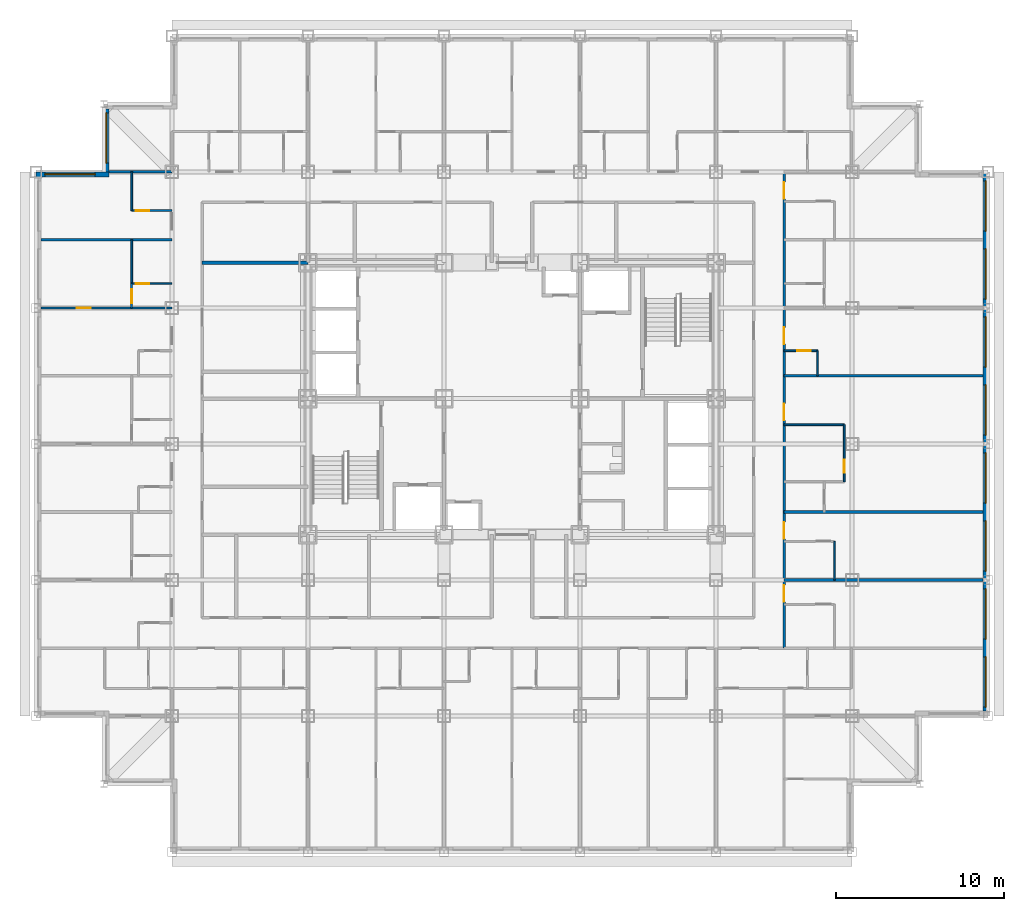
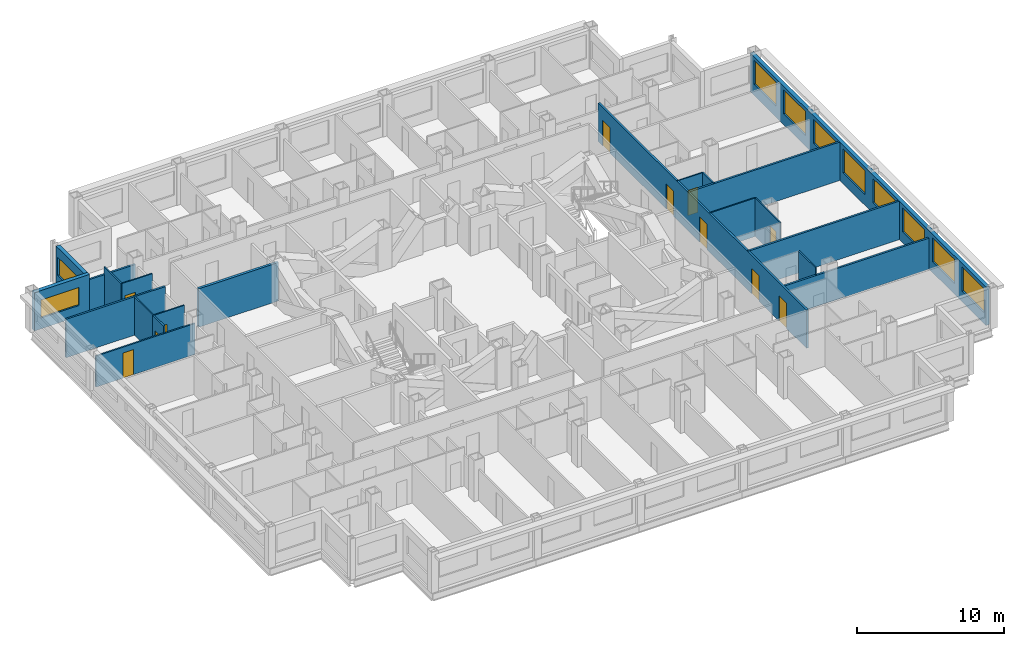
# One storey, part 9 of 15: 21 walls, 11 doors, 10 windows, 21 openings.
"""IFC4 building model written with IfcOpenShell, lengths in metres."""

from ifc_helpers import new_model, si_unit, direction, frame, frame_2d, origin, place, context, subcontext, project, spatial, rectangle, extrude, material, layer, layer_set, type_object, element, fill, save


model = new_model("IFC4")

# Units and contexts
model_context = context("Model", 3, precision=1e-05, world=origin(), true_north=direction((0.0, 1.0)))
body_context = subcontext(model_context, "Body", "Model", "MODEL_VIEW")
ifc_project = project(units=[si_unit("LENGTHUNIT", "METRE"), si_unit("AREAUNIT", "SQUARE_METRE"), si_unit("VOLUMEUNIT", "CUBIC_METRE"), si_unit("PLANEANGLEUNIT", "RADIAN"), si_unit("MASSUNIT", "GRAM", prefix="KILO")], contexts=[model_context])

# Site, building, storey
site_placement = place(None, origin())
site = spatial("IfcSite", under=ifc_project, at=site_placement, CompositionType="ELEMENT")
building_placement = place(site_placement, origin())
building = spatial("IfcBuilding", under=site, at=building_placement, Name="Kopane Lantern Tower", CompositionType="ELEMENT")
storey_placement = place(building_placement, frame((0.0, 0.0, 140.800048828125)))
storey = spatial("IfcBuildingStorey", under=building, at=storey_placement, Name="L36", CompositionType="ELEMENT", Elevation=140.800048828125)

# Wall, opening, door
ifc_material_1 = material(Name="Gypsum board on steel studs", Category="steel")
ifc_layer_1 = layer(ifc_material_1, 0.1201171875)
ifc_layer_set_1 = layer_set([ifc_layer_1], Name="APARTMENT INTERNAL WALL 120")
wall_type_1 = type_object("IfcWallType", Name="APARTMENT INTERNAL WALL 120", PredefinedType="PARTITIONING", material=ifc_layer_set_1)
wall_1_placement = place(storey_placement, frame((8.10009765625, 37.800048828125, 0.0), z_axis=(0.0, 0.0, 1.0), x_axis=(-1.0, 0.0, 0.0)))
wall_1 = element("IfcWall", 1, at=wall_1_placement, inside=storey, type_object=wall_type_1, Name="Apartment Internal Wall 120 L36", PredefinedType="PARTITIONING", context=body_context, shape_type="SweptSolid", body=[
    extrude(rectangle(XDim=7.800048828125, YDim=0.1201171875, at=frame_2d((3.89990234375, 0.0))), origin(), (0.0, 0.0, 1.0), 2.57763671875),
])
opening_1_placement = place(wall_1_placement, frame((4.824951171875, 0.0, 0.0)))
opening_1 = element("IfcOpeningElement", 2, at=opening_1_placement, cuts=wall_1, Name="Opening L36-054", PredefinedType="OPENING", context=body_context, shape_type="SweptSolid", body=[
    extrude(rectangle(XDim=0.85009765625, YDim=2.10009765625, at=frame_2d((0.425048828125, 1.050048828125))), frame((0.0, 0.070068359375, 0.0), z_axis=(0.0, -1.0, 0.0), x_axis=(1.0, 0.0, 0.0)), (0.0, 0.0, 1.0), 0.14013671875),
])
ifc_material_2 = material(Name="Timber door set", Category="wood")
door_type_1 = type_object("IfcDoorType", Name="DOOR D4 850x2100", OperationType="SINGLE_SWING_LEFT", PredefinedType="DOOR", material=ifc_material_2)
door_1_placement = place(opening_1_placement, origin())
door_1 = element("IfcDoor", 3, at=door_1_placement, inside=storey, type_object=door_type_1, Name="Door L36-054", OperationType="SINGLE_SWING_RIGHT", OverallHeight=2.10009765625, OverallWidth=0.85009765625, PredefinedType="DOOR", context=body_context, shape_type="SweptSolid", body=[
    extrude(rectangle(XDim=0.85009765625, YDim=2.10009765625, at=frame_2d((0.425048828125, 1.050048828125))), frame((0.0, 0.02490234375, 0.0), z_axis=(0.0, -1.0, 0.0), x_axis=(1.0, 0.0, 0.0)), (0.0, 0.0, 1.0), 0.050048828125),
])
fill(opening_1, door_1)

wall_2_placement = place(storey_placement, frame((5.699951171875, 37.800048828125, 0.0), z_axis=(0.0, 0.0, 1.0), x_axis=(0.0, 1.0, 0.0)))
wall_2 = element("IfcWall", 4, at=wall_2_placement, inside=storey, type_object=wall_type_1, Name="Apartment Internal Wall 120 L36", PredefinedType="PARTITIONING", context=body_context, shape_type="SweptSolid", body=[
    extrude(rectangle(XDim=1.4599609375, YDim=0.1201171875, at=frame_2d((0.72998046875, 0.0))), origin(), (0.0, 0.0, 1.0), 3.18994140625),
])
opening_2_placement = place(wall_2_placement, frame((0.27490234375, 0.0, 0.0)))
opening_2 = element("IfcOpeningElement", 5, at=opening_2_placement, cuts=wall_2, Name="Opening L36-096", PredefinedType="OPENING", context=body_context, shape_type="SweptSolid", body=[
    extrude(rectangle(XDim=0.85009765625, YDim=2.10009765625, at=frame_2d((0.425048828125, 1.050048828125))), frame((0.0, 0.070068359375, 0.0), z_axis=(0.0, -1.0, 0.0), x_axis=(1.0, 0.0, 0.0)), (0.0, 0.0, 1.0), 0.14013671875),
])
door_2_placement = place(opening_2_placement, origin())
door_2 = element("IfcDoor", 6, at=door_2_placement, inside=storey, type_object=door_type_1, Name="Door L36-096", OperationType="SINGLE_SWING_LEFT", OverallHeight=2.10009765625, OverallWidth=0.85009765625, PredefinedType="DOOR", context=body_context, shape_type="SweptSolid", body=[
    extrude(rectangle(XDim=0.85009765625, YDim=2.10009765625, at=frame_2d((0.425048828125, 1.050048828125))), frame((0.0, 0.02490234375, 0.0), z_axis=(0.0, -1.0, 0.0), x_axis=(1.0, 0.0, 0.0)), (0.0, 0.0, 1.0), 0.050048828125),
])
fill(opening_2, door_2)

# Wall
ifc_material_3 = material(Name="Moisture-resistant board on steel studs", Category="steel")
ifc_layer_2 = layer(ifc_material_3, 0.10009765625)
ifc_layer_set_2 = layer_set([ifc_layer_2], Name="BATHROOM WALL 100")
wall_type_2 = type_object("IfcWallType", Name="BATHROOM WALL 100", PredefinedType="PARTITIONING", material=ifc_layer_set_2)
wall_3_placement = place(storey_placement, frame((5.699951171875, 39.25, 0.0), z_axis=(0.0, 0.0, 1.0), x_axis=(0.0, 1.0, 0.0)))
element("IfcWall", 7, at=wall_3_placement, inside=storey, type_object=wall_type_2, Name="Bathroom Wall 100 L36", PredefinedType="PARTITIONING", context=body_context, shape_type="SweptSolid", body=[
    extrude(rectangle(XDim=2.60009765625, YDim=0.10009765625, at=frame_2d((1.300048828125, 0.0))), origin(), (0.0, 0.0, 1.0), 3.18994140625),
])

# Wall, opening, door
wall_4_placement = place(storey_placement, frame((8.10009765625, 39.25, 0.0), z_axis=(0.0, 0.0, 1.0), x_axis=(-1.0, 0.0, 0.0)))
wall_4 = element("IfcWall", 8, at=wall_4_placement, inside=storey, type_object=wall_type_2, Name="Bathroom Wall 100 L36", PredefinedType="PARTITIONING", context=body_context, shape_type="SweptSolid", body=[
    extrude(rectangle(XDim=2.400146484375, YDim=0.10009765625, at=frame_2d((1.2001953125, 0.0))), origin(), (0.0, 0.0, 1.0), 3.18994140625),
])
opening_3_placement = place(wall_4_placement, frame((1.35009765625, 0.0, 0.0)))
opening_3 = element("IfcOpeningElement", 9, at=opening_3_placement, cuts=wall_4, Name="Opening L36-053", PredefinedType="OPENING", context=body_context, shape_type="SweptSolid", body=[
    extrude(rectangle(XDim=0.800048828125, YDim=2.10009765625, at=frame_2d((0.39990234375, 1.050048828125))), frame((0.0, 0.06005859375, 0.0), z_axis=(0.0, -1.0, 0.0), x_axis=(1.0, 0.0, 0.0)), (0.0, 0.0, 1.0), 0.1201171875),
])
ifc_material_4 = material(Name="Timber door set", Category="wood")
door_type_2 = type_object("IfcDoorType", Name="DOOR D2 800x2100", OperationType="SINGLE_SWING_LEFT", PredefinedType="DOOR", material=ifc_material_4)
door_3_placement = place(opening_3_placement, origin())
door_3 = element("IfcDoor", 10, at=door_3_placement, inside=storey, type_object=door_type_2, Name="Door L36-053", OperationType="SINGLE_SWING_RIGHT", OverallHeight=2.10009765625, OverallWidth=0.800048828125, PredefinedType="DOOR", context=body_context, shape_type="SweptSolid", body=[
    extrude(rectangle(XDim=0.800048828125, YDim=2.10009765625, at=frame_2d((0.39990234375, 1.050048828125))), frame((0.0, 0.02490234375, 0.0), z_axis=(0.0, -1.0, 0.0), x_axis=(1.0, 0.0, 0.0)), (0.0, 0.0, 1.0), 0.050048828125),
])
fill(opening_3, door_3)

# Wall
wall_5_placement = place(storey_placement, frame((5.699951171875, 43.60009765625, 0.0), z_axis=(0.0, 0.0, 1.0), x_axis=(0.0, 1.0, 0.0)))
element("IfcWall", 11, at=wall_5_placement, inside=storey, type_object=wall_type_2, Name="Bathroom Wall 100 L36", PredefinedType="PARTITIONING", context=body_context, shape_type="SweptSolid", body=[
    extrude(rectangle(XDim=2.2998046875, YDim=0.10009765625, at=frame_2d((1.14990234375, 0.0))), origin(), (0.0, 0.0, 1.0), 3.18994140625),
])

# Wall, opening, door
wall_6_placement = place(storey_placement, frame((8.10009765625, 43.60009765625, 0.0), z_axis=(0.0, 0.0, 1.0), x_axis=(-1.0, 0.0, 0.0)))
wall_6 = element("IfcWall", 12, at=wall_6_placement, inside=storey, type_object=wall_type_2, Name="Bathroom Wall 100 L36", PredefinedType="PARTITIONING", context=body_context, shape_type="SweptSolid", body=[
    extrude(rectangle(XDim=2.400146484375, YDim=0.10009765625, at=frame_2d((1.2001953125, 0.0))), origin(), (0.0, 0.0, 1.0), 3.18994140625),
])
opening_4_placement = place(wall_6_placement, frame((1.35009765625, 0.0, 0.0)))
opening_4 = element("IfcOpeningElement", 13, at=opening_4_placement, cuts=wall_6, Name="Opening L36-055", PredefinedType="OPENING", context=body_context, shape_type="SweptSolid", body=[
    extrude(rectangle(XDim=0.800048828125, YDim=2.10009765625, at=frame_2d((0.39990234375, 1.050048828125))), frame((0.0, 0.06005859375, 0.0), z_axis=(0.0, -1.0, 0.0), x_axis=(1.0, 0.0, 0.0)), (0.0, 0.0, 1.0), 0.1201171875),
])
door_4_placement = place(opening_4_placement, origin())
door_4 = element("IfcDoor", 14, at=door_4_placement, inside=storey, type_object=door_type_2, Name="Door L36-055", OperationType="SINGLE_SWING_LEFT", OverallHeight=2.10009765625, OverallWidth=0.800048828125, PredefinedType="DOOR", context=body_context, shape_type="SweptSolid", body=[
    extrude(rectangle(XDim=0.800048828125, YDim=2.10009765625, at=frame_2d((0.39990234375, 1.050048828125))), frame((0.0, 0.02490234375, 0.0), z_axis=(0.0, -1.0, 0.0), x_axis=(1.0, 0.0, 0.0)), (0.0, 0.0, 1.0), 0.050048828125),
])
fill(opening_4, door_4)

# Wall
wall_7_placement = place(storey_placement, frame((47.550048828125, 21.60009765625, 0.0), z_axis=(0.0, 0.0, 1.0), x_axis=(0.0, 1.0, 0.0)))
element("IfcWall", 15, at=wall_7_placement, inside=storey, type_object=wall_type_2, Name="Bathroom Wall 100 L36", PredefinedType="PARTITIONING", context=body_context, shape_type="SweptSolid", body=[
    extrude(rectangle(XDim=2.2998046875, YDim=0.10009765625, at=frame_2d((1.14990234375, 0.0))), origin(), (0.0, 0.0, 1.0), 3.18994140625),
])

# Wall, opening, door
wall_8_placement = place(storey_placement, frame((48.139892578125, 27.449951171875, 0.0), z_axis=(0.0, 0.0, 1.0), x_axis=(0.0, 1.0, 0.0)))
wall_8 = element("IfcWall", 16, at=wall_8_placement, inside=storey, type_object=wall_type_2, Name="Bathroom Wall 100 L36", PredefinedType="PARTITIONING", context=body_context, shape_type="SweptSolid", body=[
    extrude(rectangle(XDim=3.400146484375, YDim=0.10009765625, at=frame_2d((1.7001953125, 0.0))), origin(), (0.0, 0.0, 1.0), 3.18994140625),
])
opening_5_placement = place(wall_8_placement, frame((0.52490234375, 0.0, 0.0)))
opening_5 = element("IfcOpeningElement", 17, at=opening_5_placement, cuts=wall_8, Name="Opening L36-061", PredefinedType="OPENING", context=body_context, shape_type="SweptSolid", body=[
    extrude(rectangle(XDim=0.800048828125, YDim=2.10009765625, at=frame_2d((0.39990234375, 1.050048828125))), frame((0.0, 0.06005859375, 0.0), z_axis=(0.0, -1.0, 0.0), x_axis=(1.0, 0.0, 0.0)), (0.0, 0.0, 1.0), 0.1201171875),
])
door_5_placement = place(opening_5_placement, origin())
door_5 = element("IfcDoor", 18, at=door_5_placement, inside=storey, type_object=door_type_2, Name="Door L36-061", OperationType="SINGLE_SWING_LEFT", OverallHeight=2.10009765625, OverallWidth=0.800048828125, PredefinedType="DOOR", context=body_context, shape_type="SweptSolid", body=[
    extrude(rectangle(XDim=0.800048828125, YDim=2.10009765625, at=frame_2d((0.39990234375, 1.050048828125))), frame((0.0, 0.02490234375, 0.0), z_axis=(0.0, -1.0, 0.0), x_axis=(1.0, 0.0, 0.0)), (0.0, 0.0, 1.0), 0.050048828125),
])
fill(opening_5, door_5)

# Walls
wall_9_placement = place(storey_placement, frame((44.550048828125, 30.85009765625, 0.0), z_axis=(0.0, 0.0, 1.0), x_axis=(1.0, 0.0, 0.0)))
element("IfcWall", 19, at=wall_9_placement, inside=storey, type_object=wall_type_2, Name="Bathroom Wall 100 L36", PredefinedType="PARTITIONING", context=body_context, shape_type="SweptSolid", body=[
    extrude(rectangle(XDim=3.58984375, YDim=0.10009765625, at=frame_2d((1.794921875, 0.0))), origin(), (0.0, 0.0, 1.0), 3.18994140625),
])
wall_10_placement = place(storey_placement, frame((46.550048828125, 33.75, 0.0), z_axis=(0.0, 0.0, 1.0), x_axis=(0.0, 1.0, 0.0)))
element("IfcWall", 20, at=wall_10_placement, inside=storey, type_object=wall_type_2, Name="Bathroom Wall 100 L36", PredefinedType="PARTITIONING", context=body_context, shape_type="SweptSolid", body=[
    extrude(rectangle(XDim=1.5, YDim=0.10009765625, at=frame_2d((0.75, 0.0))), origin(), (0.0, 0.0, 1.0), 3.18994140625),
])

# Wall, opening, door
wall_11_placement = place(storey_placement, frame((44.550048828125, 35.25, 0.0), z_axis=(0.0, 0.0, 1.0), x_axis=(1.0, 0.0, 0.0)))
wall_11 = element("IfcWall", 21, at=wall_11_placement, inside=storey, type_object=wall_type_2, Name="Bathroom Wall 100 L36", PredefinedType="PARTITIONING", context=body_context, shape_type="SweptSolid", body=[
    extrude(rectangle(XDim=2.0, YDim=0.10009765625, at=frame_2d((1.0, 0.0))), origin(), (0.0, 0.0, 1.0), 3.18994140625),
])
opening_6_placement = place(wall_11_placement, frame((0.800048828125, 0.0, 0.0)))
opening_6 = element("IfcOpeningElement", 22, at=opening_6_placement, cuts=wall_11, Name="Opening L36-064", PredefinedType="OPENING", context=body_context, shape_type="SweptSolid", body=[
    extrude(rectangle(XDim=0.800048828125, YDim=2.10009765625, at=frame_2d((0.39990234375, 1.050048828125))), frame((0.0, 0.06005859375, 0.0), z_axis=(0.0, -1.0, 0.0), x_axis=(1.0, 0.0, 0.0)), (0.0, 0.0, 1.0), 0.1201171875),
])
door_6_placement = place(opening_6_placement, origin())
door_6 = element("IfcDoor", 23, at=door_6_placement, inside=storey, type_object=door_type_2, Name="Door L36-064", OperationType="SINGLE_SWING_LEFT", OverallHeight=2.10009765625, OverallWidth=0.800048828125, PredefinedType="DOOR", context=body_context, shape_type="SweptSolid", body=[
    extrude(rectangle(XDim=0.800048828125, YDim=2.10009765625, at=frame_2d((0.39990234375, 1.050048828125))), frame((0.0, 0.02490234375, 0.0), z_axis=(0.0, -1.0, 0.0), x_axis=(1.0, 0.0, 0.0)), (0.0, 0.0, 1.0), 0.050048828125),
])
fill(opening_6, door_6)

# Wall, openings, doors
ifc_material_5 = material(Name="Gypsum board on steel studs", Category="steel")
ifc_layer_3 = layer(ifc_material_5, 0.14990234375)
ifc_layer_set_3 = layer_set([ifc_layer_3], Name="CORRIDOR WALL 150 EI 60")
wall_type_3 = type_object("IfcWallType", Name="CORRIDOR WALL 150 EI 60", PredefinedType="PARTITIONING", material=ifc_layer_set_3)
wall_12_placement = place(storey_placement, frame((44.550048828125, 17.550048828125, 0.0), z_axis=(0.0, 0.0, 1.0), x_axis=(0.0, 1.0, 0.0)))
wall_12 = element("IfcWall", 24, at=wall_12_placement, inside=storey, type_object=wall_type_3, Name="Corridor Wall 150 Ei 60 L36", PredefinedType="PARTITIONING", context=body_context, shape_type="SweptSolid", body=[
    extrude(rectangle(XDim=28.349853515625, YDim=0.14990234375, at=frame_2d((14.1748046875, 0.0))), origin(), (0.0, 0.0, 1.0), 3.18994140625),
])
opening_7_placement = place(wall_12_placement, frame((2.75, 0.0, 0.0)))
opening_7 = element("IfcOpeningElement", 25, at=opening_7_placement, cuts=wall_12, Name="Opening L36-058", PredefinedType="OPENING", context=body_context, shape_type="SweptSolid", body=[
    extrude(rectangle(XDim=1.0, YDim=2.10009765625, at=frame_2d((0.5, 1.050048828125))), frame((0.0, 0.0849609375, 0.0), z_axis=(0.0, -1.0, 0.0), x_axis=(1.0, 0.0, 0.0)), (0.0, 0.0, 1.0), 0.169921875),
])
opening_8_placement = place(wall_12_placement, frame((6.5, 0.0, 0.0)))
opening_8 = element("IfcOpeningElement", 26, at=opening_8_placement, cuts=wall_12, Name="Opening L36-060", PredefinedType="OPENING", context=body_context, shape_type="SweptSolid", body=[
    extrude(rectangle(XDim=1.0, YDim=2.10009765625, at=frame_2d((0.5, 1.050048828125))), frame((0.0, 0.0849609375, 0.0), z_axis=(0.0, -1.0, 0.0), x_axis=(1.0, 0.0, 0.0)), (0.0, 0.0, 1.0), 0.169921875),
])
opening_9_placement = place(wall_12_placement, frame((13.550048828125, 0.0, 0.0)))
opening_9 = element("IfcOpeningElement", 27, at=opening_9_placement, cuts=wall_12, Name="Opening L36-063", PredefinedType="OPENING", context=body_context, shape_type="SweptSolid", body=[
    extrude(rectangle(XDim=1.0, YDim=2.10009765625, at=frame_2d((0.5, 1.050048828125))), frame((0.0, 0.0849609375, 0.0), z_axis=(0.0, -1.0, 0.0), x_axis=(1.0, 0.0, 0.0)), (0.0, 0.0, 1.0), 0.169921875),
])
opening_10_placement = place(wall_12_placement, frame((18.10009765625, 0.0, 0.0)))
opening_10 = element("IfcOpeningElement", 28, at=opening_10_placement, cuts=wall_12, Name="Opening L36-065", PredefinedType="OPENING", context=body_context, shape_type="SweptSolid", body=[
    extrude(rectangle(XDim=1.0, YDim=2.10009765625, at=frame_2d((0.5, 1.050048828125))), frame((0.0, 0.0849609375, 0.0), z_axis=(0.0, -1.0, 0.0), x_axis=(1.0, 0.0, 0.0)), (0.0, 0.0, 1.0), 0.169921875),
])
opening_11_placement = place(wall_12_placement, frame((26.75, 0.0, 0.0)))
opening_11 = element("IfcOpeningElement", 29, at=opening_11_placement, cuts=wall_12, Name="Opening L36-069", PredefinedType="OPENING", context=body_context, shape_type="SweptSolid", body=[
    extrude(rectangle(XDim=1.0, YDim=2.10009765625, at=frame_2d((0.5, 1.050048828125))), frame((0.0, 0.0849609375, 0.0), z_axis=(0.0, -1.0, 0.0), x_axis=(1.0, 0.0, 0.0)), (0.0, 0.0, 1.0), 0.169921875),
])
ifc_material_6 = material(Name="Steel door set", Category="steel")
door_type_3 = type_object("IfcDoorType", Name="DOOR D1 1000x2100 FD30S", OperationType="SINGLE_SWING_LEFT", PredefinedType="DOOR", material=ifc_material_6)
door_7_placement = place(opening_7_placement, origin())
door_7 = element("IfcDoor", 30, at=door_7_placement, inside=storey, type_object=door_type_3, Name="Door L36-058", OperationType="SINGLE_SWING_RIGHT", OverallHeight=2.10009765625, OverallWidth=1.0, PredefinedType="DOOR", context=body_context, shape_type="SweptSolid", body=[
    extrude(rectangle(XDim=1.0, YDim=2.10009765625, at=frame_2d((0.5, 1.050048828125))), frame((0.0, 0.02490234375, 0.0), z_axis=(0.0, -1.0, 0.0), x_axis=(1.0, 0.0, 0.0)), (0.0, 0.0, 1.0), 0.050048828125),
])
fill(opening_7, door_7)
door_8_placement = place(opening_8_placement, origin())
door_8 = element("IfcDoor", 31, at=door_8_placement, inside=storey, type_object=door_type_3, Name="Door L36-060", OperationType="SINGLE_SWING_RIGHT", OverallHeight=2.10009765625, OverallWidth=1.0, PredefinedType="DOOR", context=body_context, shape_type="SweptSolid", body=[
    extrude(rectangle(XDim=1.0, YDim=2.10009765625, at=frame_2d((0.5, 1.050048828125))), frame((0.0, 0.02490234375, 0.0), z_axis=(0.0, -1.0, 0.0), x_axis=(1.0, 0.0, 0.0)), (0.0, 0.0, 1.0), 0.050048828125),
])
fill(opening_8, door_8)
door_9_placement = place(opening_9_placement, origin())
door_9 = element("IfcDoor", 32, at=door_9_placement, inside=storey, type_object=door_type_3, Name="Door L36-063", OperationType="SINGLE_SWING_RIGHT", OverallHeight=2.10009765625, OverallWidth=1.0, PredefinedType="DOOR", context=body_context, shape_type="SweptSolid", body=[
    extrude(rectangle(XDim=1.0, YDim=2.10009765625, at=frame_2d((0.5, 1.050048828125))), frame((0.0, 0.02490234375, 0.0), z_axis=(0.0, -1.0, 0.0), x_axis=(1.0, 0.0, 0.0)), (0.0, 0.0, 1.0), 0.050048828125),
])
fill(opening_9, door_9)
door_10_placement = place(opening_10_placement, origin())
door_10 = element("IfcDoor", 33, at=door_10_placement, inside=storey, type_object=door_type_3, Name="Door L36-065", OperationType="SINGLE_SWING_RIGHT", OverallHeight=2.10009765625, OverallWidth=1.0, PredefinedType="DOOR", context=body_context, shape_type="SweptSolid", body=[
    extrude(rectangle(XDim=1.0, YDim=2.10009765625, at=frame_2d((0.5, 1.050048828125))), frame((0.0, 0.02490234375, 0.0), z_axis=(0.0, -1.0, 0.0), x_axis=(1.0, 0.0, 0.0)), (0.0, 0.0, 1.0), 0.050048828125),
])
fill(opening_10, door_10)
door_11_placement = place(opening_11_placement, origin())
door_11 = element("IfcDoor", 34, at=door_11_placement, inside=storey, type_object=door_type_3, Name="Door L36-069", OperationType="SINGLE_SWING_RIGHT", OverallHeight=2.10009765625, OverallWidth=1.0, PredefinedType="DOOR", context=body_context, shape_type="SweptSolid", body=[
    extrude(rectangle(XDim=1.0, YDim=2.10009765625, at=frame_2d((0.5, 1.050048828125))), frame((0.0, 0.02490234375, 0.0), z_axis=(0.0, -1.0, 0.0), x_axis=(1.0, 0.0, 0.0)), (0.0, 0.0, 1.0), 0.050048828125),
])
fill(opening_11, door_11)

# Walls
ifc_material_7 = material(Name="Gypsum board on steel studs", Category="steel")
ifc_layer_4 = layer(ifc_material_7, 0.14990234375)
ifc_layer_set_4 = layer_set([ifc_layer_4], Name="DEMISING WALL 150 EI 60")
wall_type_4 = type_object("IfcWallType", Name="DEMISING WALL 150 EI 60", PredefinedType="PARTITIONING", material=ifc_layer_set_4)
wall_13_placement = place(storey_placement, frame((8.10009765625, 41.85009765625, 0.0), z_axis=(0.0, 0.0, 1.0), x_axis=(-1.0, 0.0, 0.0)))
element("IfcWall", 35, at=wall_13_placement, inside=storey, type_object=wall_type_4, Name="Demising Wall 150 Ei 60 L36", PredefinedType="PARTITIONING", context=body_context, shape_type="SweptSolid", body=[
    extrude(rectangle(XDim=7.800048828125, YDim=0.14990234375, at=frame_2d((3.89990234375, 0.0))), origin(), (0.0, 0.0, 1.0), 3.18994140625),
])
wall_14_placement = place(storey_placement, frame((44.550048828125, 21.60009765625, 0.0), z_axis=(0.0, 0.0, 1.0), x_axis=(1.0, 0.0, 0.0)))
element("IfcWall", 36, at=wall_14_placement, inside=storey, type_object=wall_type_4, Name="Demising Wall 150 Ei 60 L36", PredefinedType="PARTITIONING", context=body_context, shape_type="SweptSolid", body=[
    extrude(rectangle(XDim=11.849853515625, YDim=0.14990234375, at=frame_2d((5.9248046875, 0.0))), origin(), (0.0, 0.0, 1.0), 2.57763671875),
])
for number, where, z_axis, x_axis, name in (
    (37, (44.550048828125, 25.64990234375, 0.0), (0.0, 0.0, 1.0), (1.0, 0.0, 0.0), "Demising Wall 150 Ei 60 L36"),
    (38, (44.550048828125, 33.75, 0.0), (0.0, 0.0, 1.0), (1.0, 0.0, 0.0), "Demising Wall 150 Ei 60 L36"),
):
    element("IfcWall", number, at=place(storey_placement, frame(where, z_axis=z_axis, x_axis=x_axis)), inside=storey, type_object=wall_type_4, Name=name, PredefinedType="PARTITIONING", context=body_context, shape_type="SweptSolid", body=[
        extrude(rectangle(XDim=11.849853515625, YDim=0.14990234375, at=frame_2d((5.9248046875, 0.0))), origin(), (0.0, 0.0, 1.0), 3.18994140625),
    ])
wall_15_placement = place(storey_placement, frame((4.35009765625, 45.89990234375, 0.0), z_axis=(0.0, 0.0, 1.0), x_axis=(1.0, 0.0, 0.0)))
element("IfcWall", 39, at=wall_15_placement, inside=storey, type_object=wall_type_4, Name="Demising Wall 150 Ei 60 L36", PredefinedType="PARTITIONING", context=body_context, shape_type="SweptSolid", body=[
    extrude(rectangle(XDim=3.75, YDim=0.14990234375, at=frame_2d((1.875, 0.0))), origin(), (0.0, 0.0, 1.0), 2.57763671875),
])

# Wall, openings, windows
ifc_material_8 = material(Name="Terracotta rainscreen on light steel framing", Category="masonry")
ifc_layer_5 = layer(ifc_material_8, 0.300048828125)
ifc_layer_set_5 = layer_set([ifc_layer_5], Name="EXTERNAL WALL EW1 300 TERRACOTTA")
wall_type_5 = type_object("IfcWallType", Name="EXTERNAL WALL EW1 300 TERRACOTTA", PredefinedType="SOLIDWALL", material=ifc_layer_set_5)
wall_16_placement = place(storey_placement, frame((56.550048828125, 13.800048828125, 0.0), z_axis=(0.0, 0.0, 1.0), x_axis=(0.0, 1.0, 0.0)))
wall_16 = element("IfcWall", 40, at=wall_16_placement, inside=storey, type_object=wall_type_5, Name="External wall E L36", PredefinedType="SOLIDWALL", context=body_context, shape_type="SweptSolid", body=[
    extrude(rectangle(XDim=32.099853515625, YDim=0.300048828125, at=frame_2d((16.0498046875, 0.0))), origin(), (0.0, 0.0, 1.0), 3.18994140625),
])
opening_12_placement = place(wall_16_placement, frame((0.22509765625, 0.0, 0.89990234375)))
opening_12 = element("IfcOpeningElement", 41, at=opening_12_placement, cuts=wall_16, Name="Opening WR300200", PredefinedType="OPENING", context=body_context, shape_type="SweptSolid", body=[
    extrude(rectangle(XDim=3.0, YDim=2.0, at=frame_2d((1.5, 1.0))), frame((0.0, 0.159912109375, 0.0), z_axis=(0.0, -1.0, 0.0), x_axis=(1.0, 0.0, 0.0)), (0.0, 0.0, 1.0), 0.320068359375),
])
opening_13_placement = place(wall_16_placement, frame((4.27490234375, 0.0, 0.89990234375)))
opening_13 = element("IfcOpeningElement", 42, at=opening_13_placement, cuts=wall_16, Name="Opening WR300200", PredefinedType="OPENING", context=body_context, shape_type="SweptSolid", body=[
    extrude(rectangle(XDim=3.0, YDim=2.0, at=frame_2d((1.5, 1.0))), frame((0.0, 0.159912109375, 0.0), z_axis=(0.0, -1.0, 0.0), x_axis=(1.0, 0.0, 0.0)), (0.0, 0.0, 1.0), 0.320068359375),
])
opening_14_placement = place(wall_16_placement, frame((8.324951171875, 0.0, 0.89990234375)))
opening_14 = element("IfcOpeningElement", 43, at=opening_14_placement, cuts=wall_16, Name="Opening WR300200", PredefinedType="OPENING", context=body_context, shape_type="SweptSolid", body=[
    extrude(rectangle(XDim=3.0, YDim=2.0, at=frame_2d((1.5, 1.0))), frame((0.0, 0.159912109375, 0.0), z_axis=(0.0, -1.0, 0.0), x_axis=(1.0, 0.0, 0.0)), (0.0, 0.0, 1.0), 0.320068359375),
])
opening_15_placement = place(wall_16_placement, frame((12.375, 0.0, 0.89990234375)))
opening_15 = element("IfcOpeningElement", 44, at=opening_15_placement, cuts=wall_16, Name="Opening WR300200", PredefinedType="OPENING", context=body_context, shape_type="SweptSolid", body=[
    extrude(rectangle(XDim=3.0, YDim=2.0, at=frame_2d((1.5, 1.0))), frame((0.0, 0.159912109375, 0.0), z_axis=(0.0, -1.0, 0.0), x_axis=(1.0, 0.0, 0.0)), (0.0, 0.0, 1.0), 0.320068359375),
])
opening_16_placement = place(wall_16_placement, frame((16.425048828125, 0.0, 0.89990234375)))
opening_16 = element("IfcOpeningElement", 45, at=opening_16_placement, cuts=wall_16, Name="Opening WR300200", PredefinedType="OPENING", context=body_context, shape_type="SweptSolid", body=[
    extrude(rectangle(XDim=3.0, YDim=2.0, at=frame_2d((1.5, 1.0))), frame((0.0, 0.159912109375, 0.0), z_axis=(0.0, -1.0, 0.0), x_axis=(1.0, 0.0, 0.0)), (0.0, 0.0, 1.0), 0.320068359375),
])
opening_17_placement = place(wall_16_placement, frame((20.47509765625, 0.0, 0.89990234375)))
opening_17 = element("IfcOpeningElement", 46, at=opening_17_placement, cuts=wall_16, Name="Opening WR300200", PredefinedType="OPENING", context=body_context, shape_type="SweptSolid", body=[
    extrude(rectangle(XDim=3.0, YDim=2.0, at=frame_2d((1.5, 1.0))), frame((0.0, 0.159912109375, 0.0), z_axis=(0.0, -1.0, 0.0), x_axis=(1.0, 0.0, 0.0)), (0.0, 0.0, 1.0), 0.320068359375),
])
opening_18_placement = place(wall_16_placement, frame((24.52490234375, 0.0, 0.89990234375)))
opening_18 = element("IfcOpeningElement", 47, at=opening_18_placement, cuts=wall_16, Name="Opening WR300200", PredefinedType="OPENING", context=body_context, shape_type="SweptSolid", body=[
    extrude(rectangle(XDim=3.0, YDim=2.0, at=frame_2d((1.5, 1.0))), frame((0.0, 0.159912109375, 0.0), z_axis=(0.0, -1.0, 0.0), x_axis=(1.0, 0.0, 0.0)), (0.0, 0.0, 1.0), 0.320068359375),
])
opening_19_placement = place(wall_16_placement, frame((28.574951171875, 0.0, 0.89990234375)))
opening_19 = element("IfcOpeningElement", 48, at=opening_19_placement, cuts=wall_16, Name="Opening WR300200", PredefinedType="OPENING", context=body_context, shape_type="SweptSolid", body=[
    extrude(rectangle(XDim=3.0, YDim=2.0, at=frame_2d((1.5, 1.0))), frame((0.0, 0.159912109375, 0.0), z_axis=(0.0, -1.0, 0.0), x_axis=(1.0, 0.0, 0.0)), (0.0, 0.0, 1.0), 0.320068359375),
])
ifc_material_9 = material(Name="Aluminium and clear glass", Category="aluminium")
window_type_1 = type_object("IfcWindowType", Name="RIBBON WINDOW WR300200 3000x2000", PartitioningType="SINGLE_PANEL", PredefinedType="WINDOW", material=ifc_material_9)
window_1_placement = place(opening_12_placement, origin())
window_1 = element("IfcWindow", 49, at=window_1_placement, inside=storey, type_object=window_type_1, Name="Window E L36", OverallHeight=2.0, OverallWidth=3.0, PartitioningType="SINGLE_PANEL", PredefinedType="WINDOW", context=body_context, shape_type="SweptSolid", body=[
    extrude(rectangle(XDim=3.0, YDim=2.0, at=frame_2d((1.5, 1.0))), frame((0.0, 0.030029296875, 0.0), z_axis=(0.0, -1.0, 0.0), x_axis=(1.0, 0.0, 0.0)), (0.0, 0.0, 1.0), 0.06005859375),
])
fill(opening_12, window_1)
window_2_placement = place(opening_13_placement, origin())
window_2 = element("IfcWindow", 50, at=window_2_placement, inside=storey, type_object=window_type_1, Name="Window E L36", OverallHeight=2.0, OverallWidth=3.0, PartitioningType="SINGLE_PANEL", PredefinedType="WINDOW", context=body_context, shape_type="SweptSolid", body=[
    extrude(rectangle(XDim=3.0, YDim=2.0, at=frame_2d((1.5, 1.0))), frame((0.0, 0.030029296875, 0.0), z_axis=(0.0, -1.0, 0.0), x_axis=(1.0, 0.0, 0.0)), (0.0, 0.0, 1.0), 0.06005859375),
])
fill(opening_13, window_2)
window_3_placement = place(opening_14_placement, origin())
window_3 = element("IfcWindow", 51, at=window_3_placement, inside=storey, type_object=window_type_1, Name="Window E L36", OverallHeight=2.0, OverallWidth=3.0, PartitioningType="SINGLE_PANEL", PredefinedType="WINDOW", context=body_context, shape_type="SweptSolid", body=[
    extrude(rectangle(XDim=3.0, YDim=2.0, at=frame_2d((1.5, 1.0))), frame((0.0, 0.030029296875, 0.0), z_axis=(0.0, -1.0, 0.0), x_axis=(1.0, 0.0, 0.0)), (0.0, 0.0, 1.0), 0.06005859375),
])
fill(opening_14, window_3)
window_4_placement = place(opening_15_placement, origin())
window_4 = element("IfcWindow", 52, at=window_4_placement, inside=storey, type_object=window_type_1, Name="Window E L36", OverallHeight=2.0, OverallWidth=3.0, PartitioningType="SINGLE_PANEL", PredefinedType="WINDOW", context=body_context, shape_type="SweptSolid", body=[
    extrude(rectangle(XDim=3.0, YDim=2.0, at=frame_2d((1.5, 1.0))), frame((0.0, 0.030029296875, 0.0), z_axis=(0.0, -1.0, 0.0), x_axis=(1.0, 0.0, 0.0)), (0.0, 0.0, 1.0), 0.06005859375),
])
fill(opening_15, window_4)
window_5_placement = place(opening_16_placement, origin())
window_5 = element("IfcWindow", 53, at=window_5_placement, inside=storey, type_object=window_type_1, Name="Window E L36", OverallHeight=2.0, OverallWidth=3.0, PartitioningType="SINGLE_PANEL", PredefinedType="WINDOW", context=body_context, shape_type="SweptSolid", body=[
    extrude(rectangle(XDim=3.0, YDim=2.0, at=frame_2d((1.5, 1.0))), frame((0.0, 0.030029296875, 0.0), z_axis=(0.0, -1.0, 0.0), x_axis=(1.0, 0.0, 0.0)), (0.0, 0.0, 1.0), 0.06005859375),
])
fill(opening_16, window_5)
window_6_placement = place(opening_17_placement, origin())
window_6 = element("IfcWindow", 54, at=window_6_placement, inside=storey, type_object=window_type_1, Name="Window E L36", OverallHeight=2.0, OverallWidth=3.0, PartitioningType="SINGLE_PANEL", PredefinedType="WINDOW", context=body_context, shape_type="SweptSolid", body=[
    extrude(rectangle(XDim=3.0, YDim=2.0, at=frame_2d((1.5, 1.0))), frame((0.0, 0.030029296875, 0.0), z_axis=(0.0, -1.0, 0.0), x_axis=(1.0, 0.0, 0.0)), (0.0, 0.0, 1.0), 0.06005859375),
])
fill(opening_17, window_6)
window_7_placement = place(opening_18_placement, origin())
window_7 = element("IfcWindow", 55, at=window_7_placement, inside=storey, type_object=window_type_1, Name="Window E L36", OverallHeight=2.0, OverallWidth=3.0, PartitioningType="SINGLE_PANEL", PredefinedType="WINDOW", context=body_context, shape_type="SweptSolid", body=[
    extrude(rectangle(XDim=3.0, YDim=2.0, at=frame_2d((1.5, 1.0))), frame((0.0, 0.030029296875, 0.0), z_axis=(0.0, -1.0, 0.0), x_axis=(1.0, 0.0, 0.0)), (0.0, 0.0, 1.0), 0.06005859375),
])
fill(opening_18, window_7)
window_8_placement = place(opening_19_placement, origin())
window_8 = element("IfcWindow", 56, at=window_8_placement, inside=storey, type_object=window_type_1, Name="Window E L36", OverallHeight=2.0, OverallWidth=3.0, PartitioningType="SINGLE_PANEL", PredefinedType="WINDOW", context=body_context, shape_type="SweptSolid", body=[
    extrude(rectangle(XDim=3.0, YDim=2.0, at=frame_2d((1.5, 1.0))), frame((0.0, 0.030029296875, 0.0), z_axis=(0.0, -1.0, 0.0), x_axis=(1.0, 0.0, 0.0)), (0.0, 0.0, 1.0), 0.06005859375),
])
fill(opening_19, window_8)

# Wall, opening, window
wall_17_placement = place(storey_placement, frame((4.199951171875, 49.64990234375, 0.0), z_axis=(0.0, 0.0, 1.0), x_axis=(0.0, -1.0, 0.0)))
wall_17 = element("IfcWall", 57, at=wall_17_placement, inside=storey, type_object=wall_type_5, Name="External wall W L36", PredefinedType="SOLIDWALL", context=body_context, shape_type="SweptSolid", body=[
    extrude(rectangle(XDim=3.75, YDim=0.300048828125, at=frame_2d((1.875, 0.0))), origin(), (0.0, 0.0, 1.0), 3.18994140625),
])
opening_20_placement = place(wall_17_placement, frame((0.22509765625, 0.0, 0.89990234375)))
opening_20 = element("IfcOpeningElement", 58, at=opening_20_placement, cuts=wall_17, Name="Opening WR300150", PredefinedType="OPENING", context=body_context, shape_type="SweptSolid", body=[
    extrude(rectangle(XDim=3.0, YDim=1.5, at=frame_2d((1.5, 0.75))), frame((0.0, 0.159912109375, 0.0), z_axis=(0.0, -1.0, 0.0), x_axis=(1.0, 0.0, 0.0)), (0.0, 0.0, 1.0), 0.320068359375),
])
ifc_material_10 = material(Name="Aluminium and clear glass", Category="aluminium")
window_type_2 = type_object("IfcWindowType", Name="RIBBON WINDOW WR300150 3000x1500", PartitioningType="SINGLE_PANEL", PredefinedType="WINDOW", material=ifc_material_10)
window_9_placement = place(opening_20_placement, origin())
window_9 = element("IfcWindow", 59, at=window_9_placement, inside=storey, type_object=window_type_2, Name="Window W L36", OverallHeight=1.5, OverallWidth=3.0, PartitioningType="SINGLE_PANEL", PredefinedType="WINDOW", context=body_context, shape_type="SweptSolid", body=[
    extrude(rectangle(XDim=3.0, YDim=1.5, at=frame_2d((1.5, 0.75))), frame((0.0, 0.030029296875, 0.0), z_axis=(0.0, -1.0, 0.0), x_axis=(1.0, 0.0, 0.0)), (0.0, 0.0, 1.0), 0.06005859375),
])
fill(opening_20, window_9)

wall_18_placement = place(storey_placement, frame((4.35009765625, 45.75, 0.0), z_axis=(0.0, 0.0, 1.0), x_axis=(-1.0, 0.0, 0.0)))
wall_18 = element("IfcWall", 60, at=wall_18_placement, inside=storey, type_object=wall_type_5, Name="External wall N L36", PredefinedType="SOLIDWALL", context=body_context, shape_type="SweptSolid", body=[
    extrude(rectangle(XDim=4.35009765625, YDim=0.300048828125, at=frame_2d((2.175048828125, 0.0))), origin(), (0.0, 0.0, 1.0), 3.18994140625),
])
opening_21_placement = place(wall_18_placement, frame((0.824951171875, 0.0, 0.89990234375)))
opening_21 = element("IfcOpeningElement", 61, at=opening_21_placement, cuts=wall_18, Name="Opening WR300150", PredefinedType="OPENING", context=body_context, shape_type="SweptSolid", body=[
    extrude(rectangle(XDim=3.0, YDim=1.5, at=frame_2d((1.5, 0.75))), frame((0.0, 0.159912109375, 0.0), z_axis=(0.0, -1.0, 0.0), x_axis=(1.0, 0.0, 0.0)), (0.0, 0.0, 1.0), 0.320068359375),
])
window_10_placement = place(opening_21_placement, origin())
window_10 = element("IfcWindow", 62, at=window_10_placement, inside=storey, type_object=window_type_2, Name="Window N L36", OverallHeight=1.5, OverallWidth=3.0, PartitioningType="SINGLE_PANEL", PredefinedType="WINDOW", context=body_context, shape_type="SweptSolid", body=[
    extrude(rectangle(XDim=3.0, YDim=1.5, at=frame_2d((1.5, 0.75))), frame((0.0, 0.030029296875, 0.0), z_axis=(0.0, -1.0, 0.0), x_axis=(1.0, 0.0, 0.0)), (0.0, 0.0, 1.0), 0.06005859375),
])
fill(opening_21, window_10)

# Wall
ifc_material_11 = material(Name="Concrete masonry", Category="masonry")
ifc_layer_6 = layer(ifc_material_11, 0.199951171875)
ifc_layer_set_6 = layer_set([ifc_layer_6], Name="PLANT ROOM WALL 200 EI 120")
wall_type_6 = type_object("IfcWallType", Name="PLANT ROOM WALL 200 EI 120", PredefinedType="SOLIDWALL", material=ifc_layer_set_6)
wall_19_placement = place(storey_placement, frame((9.89990234375, 40.5, 0.0), z_axis=(0.0, 0.0, 1.0), x_axis=(1.0, 0.0, 0.0)))
element("IfcWall", 63, at=wall_19_placement, inside=storey, type_object=wall_type_6, Name="Plant Room Wall 200 Ei 120 L36", PredefinedType="SOLIDWALL", context=body_context, shape_type="SweptSolid", body=[
    extrude(rectangle(XDim=6.300048828125, YDim=0.199951171875, at=frame_2d((3.14990234375, 0.0))), origin(), (0.0, 0.0, 1.0), 3.18994140625),
])

save(model, "model.ifc")
